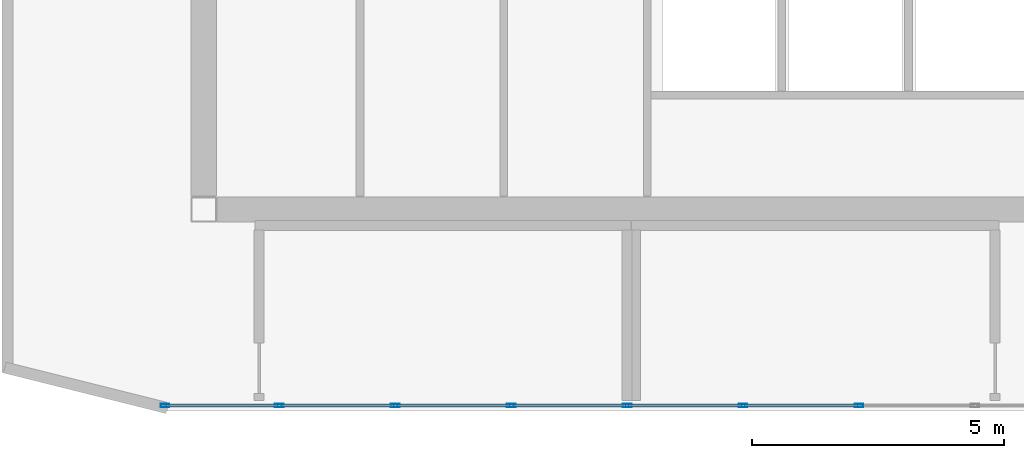
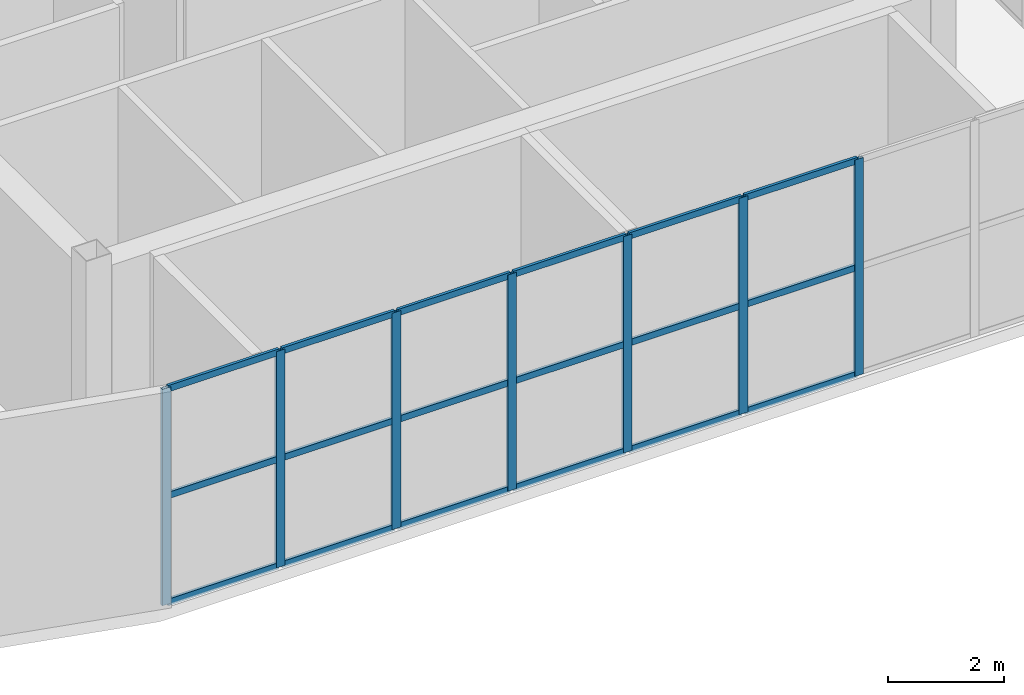
# One storey, part 2 of 9: 25 members, 1 element without a shape of its own.
"""IFC4 building model written with IfcOpenShell, lengths in metres."""

from ifc_helpers import new_model, si_unit, direction, frame, origin, origin_2d, place, context, subcontext, project, spatial, hollow_rectangle, extrude, material, layer, layer_set, material_profile, profile_set, type_object, element, aggregate, save


model = new_model("IFC4")

# Units and contexts
model_context = context("Model", 3, precision=1e-05, world=origin(), true_north=direction((0.0, 1.0)))
body_context = subcontext(model_context, "Body", "Model", "MODEL_VIEW")
ifc_project = project(units=[si_unit("LENGTHUNIT", "METRE"), si_unit("AREAUNIT", "SQUARE_METRE"), si_unit("VOLUMEUNIT", "CUBIC_METRE"), si_unit("PLANEANGLEUNIT", "RADIAN"), si_unit("MASSUNIT", "GRAM", prefix="KILO")], contexts=[model_context])

# Site, building, storey
site_placement = place(None, origin())
site = spatial("IfcSite", under=ifc_project, at=site_placement, CompositionType="ELEMENT")
building_placement = place(site_placement, origin())
building = spatial("IfcBuilding", under=site, at=building_placement, Name="Haolan Belvedere Tower", CompositionType="ELEMENT")
storey_placement = place(building_placement, frame((0.0, 0.0, 328.199951171875)))
storey = spatial("IfcBuildingStorey", under=building, at=storey_placement, Name="L82", CompositionType="ELEMENT", Elevation=328.199951171875)

# Curtain wall, members
ifc_material_1 = material(Name="Anodised champagne-silver aluminium 6063-T6 and Low-E glass", Category="aluminium")
ifc_layer = layer(ifc_material_1, 0.172119140625, Name="Anodised champagne-silver aluminium 6063-T6 and Low-E glass")
ifc_layer_set = layer_set([ifc_layer], Name="Anodised champagne-silver aluminium 6063-T6 and Low-E glass")
curtain_wall_type = type_object("IfcCurtainWallType", Name="CW-SYS-07", PredefinedType="NOTDEFINED", material=ifc_layer_set)
curtain_wall_placement = place(storey_placement, origin())
curtain_wall = element("IfcCurtainWall", 1, at=curtain_wall_placement, inside=storey, type_object=curtain_wall_type, Name="L82 CW-SYS-07 ribbon curtain wall 2.1", PredefinedType="NOTDEFINED")
ifc_material_2 = material(Name="Anodised aluminium 6063-T6", Category="aluminium")
ifc_material_profile_1 = material_profile(ifc_material_2, hollow_rectangle(XDim=0.06201171875, YDim=0.172119140625, WallThickness=0.00390625, at=origin_2d()), Name="Anodised aluminium 6063-T6")
ifc_profile_set_1 = profile_set([ifc_material_profile_1], Name="Anodised aluminium 6063-T6")
member_type_1 = type_object("IfcMemberType", Name="CW-SYS-07-MUL", PredefinedType="MULLION", material=ifc_profile_set_1)
member_1_placement = place(storey_placement, frame((29.230712890625, 22.510009765625, 0.0), z_axis=(0.0, 0.0, 1.0), x_axis=(0.0, 1.0, 0.0)))
member_1 = element("IfcMember", 2, at=member_1_placement, type_object=member_type_1, Name="CW-07 mullion 1", PredefinedType="MULLION", context=body_context, shape_type="SweptSolid", body=[
    extrude(hollow_rectangle(XDim=0.06201171875, YDim=0.172119140625, WallThickness=0.00390625, at=origin_2d()), origin(), (0.0, 0.0, 1.0), 4.550048828125),
])
member_2_placement = place(storey_placement, frame((31.499755859375, 22.510009765625, 0.0), z_axis=(0.0, 0.0, 1.0), x_axis=(0.0, 1.0, 0.0)))
member_2 = element("IfcMember", 3, at=member_2_placement, type_object=member_type_1, Name="CW-07 mullion 2", PredefinedType="MULLION", context=body_context, shape_type="SweptSolid", body=[
    extrude(hollow_rectangle(XDim=0.06201171875, YDim=0.172119140625, WallThickness=0.00390625, at=origin_2d()), origin(), (0.0, 0.0, 1.0), 4.550048828125),
])
member_3_placement = place(storey_placement, frame((33.7998046875, 22.510009765625, 0.0), z_axis=(0.0, 0.0, 1.0), x_axis=(0.0, 1.0, 0.0)))
member_3 = element("IfcMember", 4, at=member_3_placement, type_object=member_type_1, Name="CW-07 mullion 3", PredefinedType="MULLION", context=body_context, shape_type="SweptSolid", body=[
    extrude(hollow_rectangle(XDim=0.06201171875, YDim=0.172119140625, WallThickness=0.00390625, at=origin_2d()), origin(), (0.0, 0.0, 1.0), 4.550048828125),
])
member_4_placement = place(storey_placement, frame((36.099853515625, 22.510009765625, 0.0), z_axis=(0.0, 0.0, 1.0), x_axis=(0.0, 1.0, 0.0)))
member_4 = element("IfcMember", 5, at=member_4_placement, type_object=member_type_1, Name="CW-07 mullion 4", PredefinedType="MULLION", context=body_context, shape_type="SweptSolid", body=[
    extrude(hollow_rectangle(XDim=0.06201171875, YDim=0.172119140625, WallThickness=0.00390625, at=origin_2d()), origin(), (0.0, 0.0, 1.0), 4.550048828125),
])
member_5_placement = place(storey_placement, frame((38.39990234375, 22.510009765625, 0.0), z_axis=(0.0, 0.0, 1.0), x_axis=(0.0, 1.0, 0.0)))
member_5 = element("IfcMember", 6, at=member_5_placement, type_object=member_type_1, Name="CW-07 mullion 5", PredefinedType="MULLION", context=body_context, shape_type="SweptSolid", body=[
    extrude(hollow_rectangle(XDim=0.06201171875, YDim=0.172119140625, WallThickness=0.00390625, at=origin_2d()), origin(), (0.0, 0.0, 1.0), 4.550048828125),
])
member_6_placement = place(storey_placement, frame((40.7001953125, 22.510009765625, 0.0), z_axis=(0.0, 0.0, 1.0), x_axis=(0.0, 1.0, 0.0)))
member_6 = element("IfcMember", 7, at=member_6_placement, type_object=member_type_1, Name="CW-07 mullion 6", PredefinedType="MULLION", context=body_context, shape_type="SweptSolid", body=[
    extrude(hollow_rectangle(XDim=0.06201171875, YDim=0.172119140625, WallThickness=0.00390625, at=origin_2d()), origin(), (0.0, 0.0, 1.0), 4.550048828125),
])
member_7_placement = place(storey_placement, frame((43.000244140625, 22.510009765625, 0.0), z_axis=(0.0, 0.0, 1.0), x_axis=(0.0, 1.0, 0.0)))
member_7 = element("IfcMember", 8, at=member_7_placement, type_object=member_type_1, Name="CW-07 mullion 7", PredefinedType="MULLION", context=body_context, shape_type="SweptSolid", body=[
    extrude(hollow_rectangle(XDim=0.06201171875, YDim=0.172119140625, WallThickness=0.00390625, at=origin_2d()), origin(), (0.0, 0.0, 1.0), 4.550048828125),
])
ifc_material_profile_2 = material_profile(ifc_material_2, hollow_rectangle(XDim=0.05810546875, YDim=0.135009765625, WallThickness=0.00390625, at=origin_2d()), Name="Anodised aluminium 6063-T6")
ifc_profile_set_2 = profile_set([ifc_material_profile_2], Name="Anodised aluminium 6063-T6")
member_type_2 = type_object("IfcMemberType", Name="CW-SYS-07-TRN", PredefinedType="USERDEFINED", material=ifc_profile_set_2)
member_8_placement = place(storey_placement, frame((29.26171875, 22.510009765625, 0.029052734375), z_axis=(1.0, 0.0, 0.0), x_axis=(0.0, 1.0, 0.0)))
member_8 = element("IfcMember", 9, at=member_8_placement, type_object=member_type_2, Name="CW-07 transom 1.1", ObjectType="TRANSOM", PredefinedType="USERDEFINED", context=body_context, shape_type="SweptSolid", body=[
    extrude(hollow_rectangle(XDim=0.05810546875, YDim=0.135009765625, WallThickness=0.00390625, at=origin_2d()), origin(), (0.0, 0.0, 1.0), 2.20703125),
])
member_9_placement = place(storey_placement, frame((29.26171875, 22.510009765625, 2.275146484375), z_axis=(1.0, 0.0, 0.0), x_axis=(0.0, 1.0, 0.0)))
member_9 = element("IfcMember", 10, at=member_9_placement, type_object=member_type_2, Name="CW-07 transom 1.2", ObjectType="TRANSOM", PredefinedType="USERDEFINED", context=body_context, shape_type="SweptSolid", body=[
    extrude(hollow_rectangle(XDim=0.05810546875, YDim=0.135009765625, WallThickness=0.00390625, at=origin_2d()), origin(), (0.0, 0.0, 1.0), 2.20703125),
])
member_10_placement = place(storey_placement, frame((29.26171875, 22.510009765625, 4.52099609375), z_axis=(1.0, 0.0, 0.0), x_axis=(0.0, 1.0, 0.0)))
member_10 = element("IfcMember", 11, at=member_10_placement, type_object=member_type_2, Name="CW-07 transom 1.3", ObjectType="TRANSOM", PredefinedType="USERDEFINED", context=body_context, shape_type="SweptSolid", body=[
    extrude(hollow_rectangle(XDim=0.05810546875, YDim=0.135009765625, WallThickness=0.00390625, at=origin_2d()), origin(), (0.0, 0.0, 1.0), 2.20703125),
])
member_11_placement = place(storey_placement, frame((31.53076171875, 22.510009765625, 0.029052734375), z_axis=(1.0, 0.0, 0.0), x_axis=(0.0, 1.0, 0.0)))
member_11 = element("IfcMember", 12, at=member_11_placement, type_object=member_type_2, Name="CW-07 transom 2.1", ObjectType="TRANSOM", PredefinedType="USERDEFINED", context=body_context, shape_type="SweptSolid", body=[
    extrude(hollow_rectangle(XDim=0.05810546875, YDim=0.135009765625, WallThickness=0.00390625, at=origin_2d()), origin(), (0.0, 0.0, 1.0), 2.238037109375),
])
member_12_placement = place(storey_placement, frame((31.53076171875, 22.510009765625, 2.275146484375), z_axis=(1.0, 0.0, 0.0), x_axis=(0.0, 1.0, 0.0)))
member_12 = element("IfcMember", 13, at=member_12_placement, type_object=member_type_2, Name="CW-07 transom 2.2", ObjectType="TRANSOM", PredefinedType="USERDEFINED", context=body_context, shape_type="SweptSolid", body=[
    extrude(hollow_rectangle(XDim=0.05810546875, YDim=0.135009765625, WallThickness=0.00390625, at=origin_2d()), origin(), (0.0, 0.0, 1.0), 2.238037109375),
])
member_13_placement = place(storey_placement, frame((31.53076171875, 22.510009765625, 4.52099609375), z_axis=(1.0, 0.0, 0.0), x_axis=(0.0, 1.0, 0.0)))
member_13 = element("IfcMember", 14, at=member_13_placement, type_object=member_type_2, Name="CW-07 transom 2.3", ObjectType="TRANSOM", PredefinedType="USERDEFINED", context=body_context, shape_type="SweptSolid", body=[
    extrude(hollow_rectangle(XDim=0.05810546875, YDim=0.135009765625, WallThickness=0.00390625, at=origin_2d()), origin(), (0.0, 0.0, 1.0), 2.238037109375),
])
member_14_placement = place(storey_placement, frame((33.830810546875, 22.510009765625, 0.029052734375), z_axis=(1.0, 0.0, 0.0), x_axis=(0.0, 1.0, 0.0)))
member_14 = element("IfcMember", 15, at=member_14_placement, type_object=member_type_2, Name="CW-07 transom 3.1", ObjectType="TRANSOM", PredefinedType="USERDEFINED", context=body_context, shape_type="SweptSolid", body=[
    extrude(hollow_rectangle(XDim=0.05810546875, YDim=0.135009765625, WallThickness=0.00390625, at=origin_2d()), origin(), (0.0, 0.0, 1.0), 2.238037109375),
])
member_15_placement = place(storey_placement, frame((33.830810546875, 22.510009765625, 2.275146484375), z_axis=(1.0, 0.0, 0.0), x_axis=(0.0, 1.0, 0.0)))
member_15 = element("IfcMember", 16, at=member_15_placement, type_object=member_type_2, Name="CW-07 transom 3.2", ObjectType="TRANSOM", PredefinedType="USERDEFINED", context=body_context, shape_type="SweptSolid", body=[
    extrude(hollow_rectangle(XDim=0.05810546875, YDim=0.135009765625, WallThickness=0.00390625, at=origin_2d()), origin(), (0.0, 0.0, 1.0), 2.238037109375),
])
member_16_placement = place(storey_placement, frame((33.830810546875, 22.510009765625, 4.52099609375), z_axis=(1.0, 0.0, 0.0), x_axis=(0.0, 1.0, 0.0)))
member_16 = element("IfcMember", 17, at=member_16_placement, type_object=member_type_2, Name="CW-07 transom 3.3", ObjectType="TRANSOM", PredefinedType="USERDEFINED", context=body_context, shape_type="SweptSolid", body=[
    extrude(hollow_rectangle(XDim=0.05810546875, YDim=0.135009765625, WallThickness=0.00390625, at=origin_2d()), origin(), (0.0, 0.0, 1.0), 2.238037109375),
])
member_17_placement = place(storey_placement, frame((36.130859375, 22.510009765625, 0.029052734375), z_axis=(1.0, 0.0, 0.0), x_axis=(0.0, 1.0, 0.0)))
member_17 = element("IfcMember", 18, at=member_17_placement, type_object=member_type_2, Name="CW-07 transom 4.1", ObjectType="TRANSOM", PredefinedType="USERDEFINED", context=body_context, shape_type="SweptSolid", body=[
    extrude(hollow_rectangle(XDim=0.05810546875, YDim=0.135009765625, WallThickness=0.00390625, at=origin_2d()), origin(), (0.0, 0.0, 1.0), 2.238037109375),
])
member_18_placement = place(storey_placement, frame((36.130859375, 22.510009765625, 2.275146484375), z_axis=(1.0, 0.0, 0.0), x_axis=(0.0, 1.0, 0.0)))
member_18 = element("IfcMember", 19, at=member_18_placement, type_object=member_type_2, Name="CW-07 transom 4.2", ObjectType="TRANSOM", PredefinedType="USERDEFINED", context=body_context, shape_type="SweptSolid", body=[
    extrude(hollow_rectangle(XDim=0.05810546875, YDim=0.135009765625, WallThickness=0.00390625, at=origin_2d()), origin(), (0.0, 0.0, 1.0), 2.238037109375),
])
member_19_placement = place(storey_placement, frame((36.130859375, 22.510009765625, 4.52099609375), z_axis=(1.0, 0.0, 0.0), x_axis=(0.0, 1.0, 0.0)))
member_19 = element("IfcMember", 20, at=member_19_placement, type_object=member_type_2, Name="CW-07 transom 4.3", ObjectType="TRANSOM", PredefinedType="USERDEFINED", context=body_context, shape_type="SweptSolid", body=[
    extrude(hollow_rectangle(XDim=0.05810546875, YDim=0.135009765625, WallThickness=0.00390625, at=origin_2d()), origin(), (0.0, 0.0, 1.0), 2.238037109375),
])
member_20_placement = place(storey_placement, frame((38.430908203125, 22.510009765625, 0.029052734375), z_axis=(1.0, 0.0, 0.0), x_axis=(0.0, 1.0, 0.0)))
member_20 = element("IfcMember", 21, at=member_20_placement, type_object=member_type_2, Name="CW-07 transom 5.1", ObjectType="TRANSOM", PredefinedType="USERDEFINED", context=body_context, shape_type="SweptSolid", body=[
    extrude(hollow_rectangle(XDim=0.05810546875, YDim=0.135009765625, WallThickness=0.00390625, at=origin_2d()), origin(), (0.0, 0.0, 1.0), 2.23828125),
])
member_21_placement = place(storey_placement, frame((38.430908203125, 22.510009765625, 2.275146484375), z_axis=(1.0, 0.0, 0.0), x_axis=(0.0, 1.0, 0.0)))
member_21 = element("IfcMember", 22, at=member_21_placement, type_object=member_type_2, Name="CW-07 transom 5.2", ObjectType="TRANSOM", PredefinedType="USERDEFINED", context=body_context, shape_type="SweptSolid", body=[
    extrude(hollow_rectangle(XDim=0.05810546875, YDim=0.135009765625, WallThickness=0.00390625, at=origin_2d()), origin(), (0.0, 0.0, 1.0), 2.23828125),
])
member_22_placement = place(storey_placement, frame((38.430908203125, 22.510009765625, 4.52099609375), z_axis=(1.0, 0.0, 0.0), x_axis=(0.0, 1.0, 0.0)))
member_22 = element("IfcMember", 23, at=member_22_placement, type_object=member_type_2, Name="CW-07 transom 5.3", ObjectType="TRANSOM", PredefinedType="USERDEFINED", context=body_context, shape_type="SweptSolid", body=[
    extrude(hollow_rectangle(XDim=0.05810546875, YDim=0.135009765625, WallThickness=0.00390625, at=origin_2d()), origin(), (0.0, 0.0, 1.0), 2.23828125),
])
member_23_placement = place(storey_placement, frame((40.73095703125, 22.510009765625, 0.029052734375), z_axis=(1.0, 0.0, 0.0), x_axis=(0.0, 1.0, 0.0)))
member_23 = element("IfcMember", 24, at=member_23_placement, type_object=member_type_2, Name="CW-07 transom 6.1", ObjectType="TRANSOM", PredefinedType="USERDEFINED", context=body_context, shape_type="SweptSolid", body=[
    extrude(hollow_rectangle(XDim=0.05810546875, YDim=0.135009765625, WallThickness=0.00390625, at=origin_2d()), origin(), (0.0, 0.0, 1.0), 2.23828125),
])
member_24_placement = place(storey_placement, frame((40.73095703125, 22.510009765625, 2.275146484375), z_axis=(1.0, 0.0, 0.0), x_axis=(0.0, 1.0, 0.0)))
member_24 = element("IfcMember", 25, at=member_24_placement, type_object=member_type_2, Name="CW-07 transom 6.2", ObjectType="TRANSOM", PredefinedType="USERDEFINED", context=body_context, shape_type="SweptSolid", body=[
    extrude(hollow_rectangle(XDim=0.05810546875, YDim=0.135009765625, WallThickness=0.00390625, at=origin_2d()), origin(), (0.0, 0.0, 1.0), 2.23828125),
])
member_25_placement = place(storey_placement, frame((40.73095703125, 22.510009765625, 4.52099609375), z_axis=(1.0, 0.0, 0.0), x_axis=(0.0, 1.0, 0.0)))
member_25 = element("IfcMember", 26, at=member_25_placement, type_object=member_type_2, Name="CW-07 transom 6.3", ObjectType="TRANSOM", PredefinedType="USERDEFINED", context=body_context, shape_type="SweptSolid", body=[
    extrude(hollow_rectangle(XDim=0.05810546875, YDim=0.135009765625, WallThickness=0.00390625, at=origin_2d()), origin(), (0.0, 0.0, 1.0), 2.23828125),
])
aggregate(curtain_wall, [member_1, member_2, member_3, member_4, member_5, member_6, member_7, member_8, member_9, member_10, member_11, member_12, member_13, member_14, member_15, member_16, member_17, member_18, member_19, member_20, member_21, member_22, member_23, member_24, member_25])

save(model, "model.ifc")
